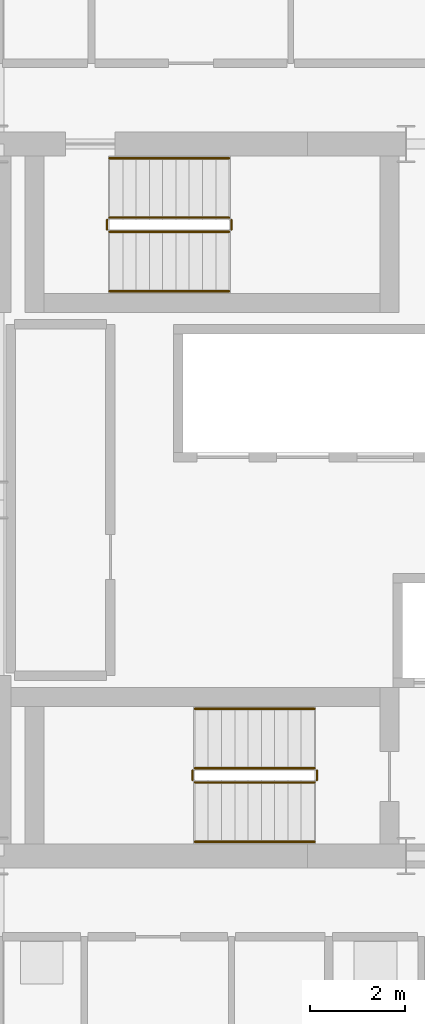
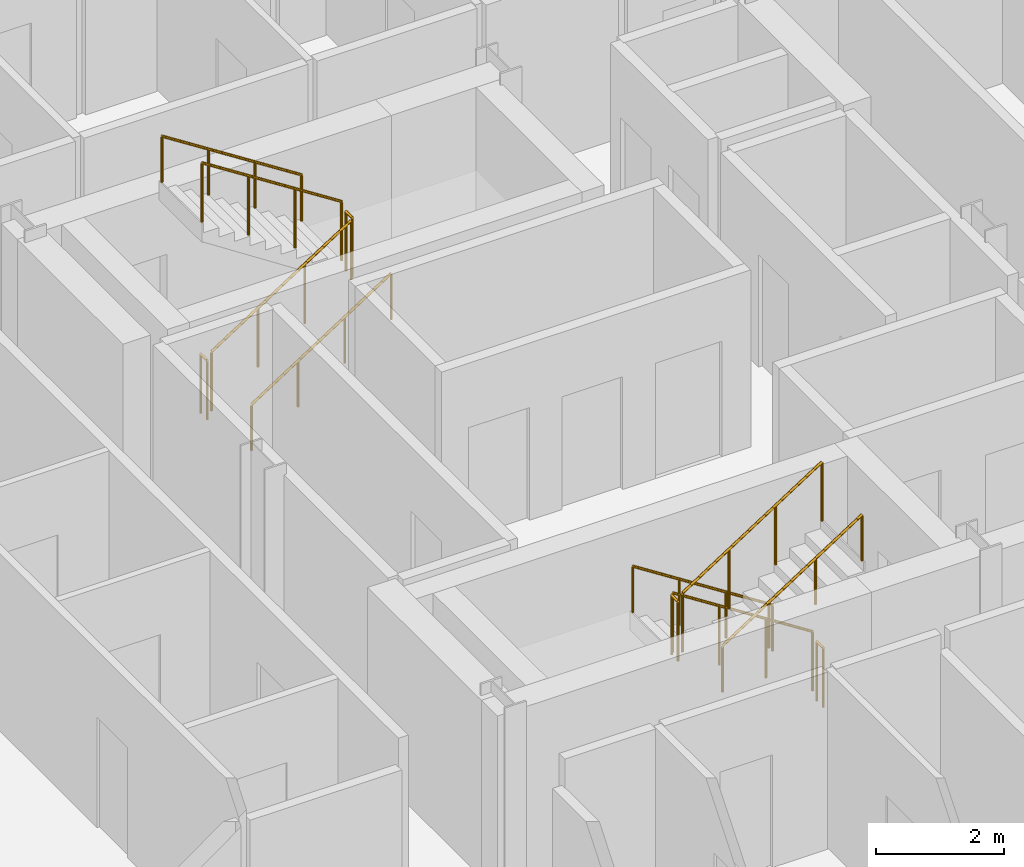
# One storey, part 23 of 24: 12 railings.
"""IFC4 building model written with IfcOpenShell, lengths in metres."""

from ifc_helpers import new_model, si_unit, direction, frame, origin, origin_2d, place, context, subcontext, project, spatial, circle, extrude, material, type_object, element, save


model = new_model("IFC4")

# Units and contexts
model_context = context("Model", 3, precision=1e-05, world=origin(), true_north=direction((0.0, 1.0)))
body_context = subcontext(model_context, "Body", "Model", "MODEL_VIEW")
ifc_project = project(units=[si_unit("LENGTHUNIT", "METRE"), si_unit("AREAUNIT", "SQUARE_METRE"), si_unit("VOLUMEUNIT", "CUBIC_METRE"), si_unit("PLANEANGLEUNIT", "RADIAN"), si_unit("MASSUNIT", "GRAM", prefix="KILO")], contexts=[model_context])

# Site, building, storey
site_placement = place(None, origin())
site = spatial("IfcSite", under=ifc_project, at=site_placement, CompositionType="ELEMENT")
building_placement = place(site_placement, origin())
building = spatial("IfcBuilding", under=site, at=building_placement, Name="Barlavira Tower and Art Museum", CompositionType="ELEMENT")
storey_placement = place(building_placement, frame((0.0, 0.0, 225.89990234375)))
storey = spatial("IfcBuildingStorey", under=building, at=storey_placement, Name="L58", CompositionType="ELEMENT", Elevation=225.89990234375)

# Railings
ifc_material = material(Name="Brushed stainless steel", Category="steel")
railing_type_1 = type_object("IfcRailingType", Name="Interior Void and Landing Guard Railing 1150", PredefinedType="GUARDRAIL", material=ifc_material)
railing_1_placement = place(storey_placement, frame((0.14990234375, -5.64990234375, 0.18017578125)))
element("IfcRailing", 1, at=railing_1_placement, inside=storey, type_object=railing_type_1, Name="L58 ST-T1 stair guard 1", PredefinedType="GUARDRAIL", context=body_context, shape_type="SweptSolid", body=[
    extrude(circle(Radius=0.02392578125, at=origin_2d()), frame((0.0, 0.0, 1.1259765625), z_axis=(-0.841199657755, 0.0, 0.540724639528), x_axis=(0.0, -1.0, 0.0)), (0.0, 0.0, 1.0), 2.995849609375),
    extrude(circle(Radius=0.02099609375, at=origin_2d()), origin(), (0.0, 0.0, 1.0), 1.101806640625),
    extrude(circle(Radius=0.02099609375, at=origin_2d()), frame((-0.840087890625, 0.0, 0.5400390625)), (0.0, 0.0, 1.0), 1.101806640625),
    extrude(circle(Radius=0.02099609375, at=origin_2d()), frame((-1.679931640625, 0.0, 1.079833984375)), (0.0, 0.0, 1.0), 1.101806640625),
    extrude(circle(Radius=0.02099609375, at=origin_2d()), frame((-2.52001953125, 0.0, 1.619873046875)), (0.0, 0.0, 1.0), 1.101806640625),
])
railing_2_placement = place(storey_placement, frame((-2.419921875, -5.699951171875, 1.800048828125)))
element("IfcRailing", 2, at=railing_2_placement, inside=storey, type_object=railing_type_1, Name="L58 ST-T1 stair guard 2", PredefinedType="GUARDRAIL", context=body_context, shape_type="SweptSolid", body=[
    extrude(circle(Radius=0.02392578125, at=origin_2d()), frame((0.0, 0.0, 1.1259765625), z_axis=(0.0, -1.0, 0.0), x_axis=(1.0, 0.0, 0.0)), (0.0, 0.0, 1.0), 0.199951171875),
    extrude(circle(Radius=0.02099609375, at=origin_2d()), origin(), (0.0, 0.0, 1.0), 1.101806640625),
    extrude(circle(Radius=0.02099609375, at=origin_2d()), frame((0.0, -0.199951171875, 0.0)), (0.0, 0.0, 1.0), 1.101806640625),
])
railing_3_placement = place(storey_placement, frame((-2.3701171875, -5.949951171875, 1.97998046875)))
element("IfcRailing", 3, at=railing_3_placement, inside=storey, type_object=railing_type_1, Name="L58 ST-T1 stair guard 3", PredefinedType="GUARDRAIL", context=body_context, shape_type="SweptSolid", body=[
    extrude(circle(Radius=0.02392578125, at=origin_2d()), frame((0.0, 0.0, 1.1259765625), z_axis=(0.841162588446, 0.0, 0.540782303519), x_axis=(0.0, 1.0, 0.0)), (0.0, 0.0, 1.0), 2.995849609375),
    extrude(circle(Radius=0.02099609375, at=origin_2d()), origin(), (0.0, 0.0, 1.0), 1.101806640625),
    extrude(circle(Radius=0.02099609375, at=origin_2d()), frame((0.840087890625, 0.0, 0.5400390625)), (0.0, 0.0, 1.0), 1.101806640625),
    extrude(circle(Radius=0.02099609375, at=origin_2d()), frame((1.679931640625, 0.0, 1.080078125)), (0.0, 0.0, 1.0), 1.101806640625),
    extrude(circle(Radius=0.02099609375, at=origin_2d()), frame((2.52001953125, 0.0, 1.6201171875)), (0.0, 0.0, 1.0), 1.101806640625),
])
railing_4_placement = place(storey_placement, frame((0.199951171875, -5.699951171875, 0.0)))
element("IfcRailing", 4, at=railing_4_placement, inside=storey, type_object=railing_type_1, Name="L58 ST-T1 stair guard 4", PredefinedType="GUARDRAIL", context=body_context, shape_type="SweptSolid", body=[
    extrude(circle(Radius=0.02392578125, at=origin_2d()), frame((0.0, 0.0, 1.1259765625), z_axis=(0.0, -1.0, 0.0), x_axis=(1.0, 0.0, 0.0)), (0.0, 0.0, 1.0), 0.199951171875),
    extrude(circle(Radius=0.02099609375, at=origin_2d()), origin(), (0.0, 0.0, 1.0), 1.101806640625),
    extrude(circle(Radius=0.02099609375, at=origin_2d()), frame((0.0, -0.199951171875, 0.0)), (0.0, 0.0, 1.0), 1.101806640625),
])
railing_5_placement = place(storey_placement, frame((-4.169921875, 5.64990234375, 0.18017578125)))
element("IfcRailing", 5, at=railing_5_placement, inside=storey, type_object=railing_type_1, Name="L58 ST-T2 stair guard 1", PredefinedType="GUARDRAIL", context=body_context, shape_type="SweptSolid", body=[
    extrude(circle(Radius=0.02392578125, at=origin_2d()), frame((0.0, 0.0, 1.1259765625), z_axis=(0.841199657755, 0.0, 0.540724639528), x_axis=(0.0, 1.0, 0.0)), (0.0, 0.0, 1.0), 2.995849609375),
    extrude(circle(Radius=0.02099609375, at=origin_2d()), origin(), (0.0, 0.0, 1.0), 1.101806640625),
    extrude(circle(Radius=0.02099609375, at=origin_2d()), frame((0.840087890625, 0.0, 0.5400390625)), (0.0, 0.0, 1.0), 1.101806640625),
    extrude(circle(Radius=0.02099609375, at=origin_2d()), frame((1.679931640625, 0.0, 1.079833984375)), (0.0, 0.0, 1.0), 1.101806640625),
    extrude(circle(Radius=0.02099609375, at=origin_2d()), frame((2.52001953125, 0.0, 1.619873046875)), (0.0, 0.0, 1.0), 1.101806640625),
])
railing_6_placement = place(storey_placement, frame((-1.60009765625, 5.699951171875, 1.800048828125)))
element("IfcRailing", 6, at=railing_6_placement, inside=storey, type_object=railing_type_1, Name="L58 ST-T2 stair guard 2", PredefinedType="GUARDRAIL", context=body_context, shape_type="SweptSolid", body=[
    extrude(circle(Radius=0.02392578125, at=origin_2d()), frame((0.0, 0.0, 1.1259765625), z_axis=(0.0, 1.0, 0.0), x_axis=(-1.0, 0.0, 0.0)), (0.0, 0.0, 1.0), 0.199951171875),
    extrude(circle(Radius=0.02099609375, at=origin_2d()), origin(), (0.0, 0.0, 1.0), 1.101806640625),
    extrude(circle(Radius=0.02099609375, at=origin_2d()), frame((0.0, 0.199951171875, 0.0)), (0.0, 0.0, 1.0), 1.101806640625),
])
railing_7_placement = place(storey_placement, frame((-1.64990234375, 5.949951171875, 1.97998046875)))
element("IfcRailing", 7, at=railing_7_placement, inside=storey, type_object=railing_type_1, Name="L58 ST-T2 stair guard 3", PredefinedType="GUARDRAIL", context=body_context, shape_type="SweptSolid", body=[
    extrude(circle(Radius=0.02392578125, at=origin_2d()), frame((0.0, 0.0, 1.1259765625), z_axis=(-0.841162588446, 0.0, 0.540782303519), x_axis=(0.0, -1.0, 0.0)), (0.0, 0.0, 1.0), 2.995849609375),
    extrude(circle(Radius=0.02099609375, at=origin_2d()), origin(), (0.0, 0.0, 1.0), 1.101806640625),
    extrude(circle(Radius=0.02099609375, at=origin_2d()), frame((-0.840087890625, 0.0, 0.5400390625)), (0.0, 0.0, 1.0), 1.101806640625),
    extrude(circle(Radius=0.02099609375, at=origin_2d()), frame((-1.679931640625, 0.0, 1.080078125)), (0.0, 0.0, 1.0), 1.101806640625),
    extrude(circle(Radius=0.02099609375, at=origin_2d()), frame((-2.52001953125, 0.0, 1.6201171875)), (0.0, 0.0, 1.0), 1.101806640625),
])
railing_8_placement = place(storey_placement, frame((-4.219970703125, 5.699951171875, 0.0)))
element("IfcRailing", 8, at=railing_8_placement, inside=storey, type_object=railing_type_1, Name="L58 ST-T2 stair guard 4", PredefinedType="GUARDRAIL", context=body_context, shape_type="SweptSolid", body=[
    extrude(circle(Radius=0.02392578125, at=origin_2d()), frame((0.0, 0.0, 1.1259765625), z_axis=(0.0, 1.0, 0.0), x_axis=(-1.0, 0.0, 0.0)), (0.0, 0.0, 1.0), 0.199951171875),
    extrude(circle(Radius=0.02099609375, at=origin_2d()), origin(), (0.0, 0.0, 1.0), 1.101806640625),
    extrude(circle(Radius=0.02099609375, at=origin_2d()), frame((0.0, 0.199951171875, 0.0)), (0.0, 0.0, 1.0), 1.101806640625),
])
railing_type_2 = type_object("IfcRailingType", Name="Stair Pitch Tubular Steel Handrail 920", PredefinedType="HANDRAIL", material=ifc_material)
railing_9_placement = place(storey_placement, frame((0.14990234375, -4.39990234375, 0.18017578125)))
element("IfcRailing", 9, at=railing_9_placement, inside=storey, type_object=railing_type_2, Name="L58 ST-T1 stair handrail 1", PredefinedType="HANDRAIL", context=body_context, shape_type="SweptSolid", body=[
    extrude(circle(Radius=0.02392578125, at=origin_2d()), frame((0.0, 0.0, 0.8759765625), z_axis=(-0.841199657755, 0.0, 0.540724639528), x_axis=(0.0, -1.0, 0.0)), (0.0, 0.0, 1.0), 2.995849609375),
    extrude(circle(Radius=0.02099609375, at=origin_2d()), origin(), (0.0, 0.0, 1.0), 0.851806640625),
    extrude(circle(Radius=0.02099609375, at=origin_2d()), frame((-0.840087890625, 0.0, 0.5400390625)), (0.0, 0.0, 1.0), 0.851806640625),
    extrude(circle(Radius=0.02099609375, at=origin_2d()), frame((-1.679931640625, 0.0, 1.079833984375)), (0.0, 0.0, 1.0), 0.851806640625),
    extrude(circle(Radius=0.02099609375, at=origin_2d()), frame((-2.52001953125, 0.0, 1.619873046875)), (0.0, 0.0, 1.0), 0.851806640625),
])
railing_10_placement = place(storey_placement, frame((-2.3701171875, -7.199951171875, 1.97998046875)))
element("IfcRailing", 10, at=railing_10_placement, inside=storey, type_object=railing_type_2, Name="L58 ST-T1 stair handrail 2", PredefinedType="HANDRAIL", context=body_context, shape_type="SweptSolid", body=[
    extrude(circle(Radius=0.02392578125, at=origin_2d()), frame((0.0, 0.0, 0.8759765625), z_axis=(0.841162588446, 0.0, 0.540782303519), x_axis=(0.0, 1.0, 0.0)), (0.0, 0.0, 1.0), 2.995849609375),
    extrude(circle(Radius=0.02099609375, at=origin_2d()), origin(), (0.0, 0.0, 1.0), 0.851806640625),
    extrude(circle(Radius=0.02099609375, at=origin_2d()), frame((0.840087890625, 0.0, 0.5400390625)), (0.0, 0.0, 1.0), 0.851806640625),
    extrude(circle(Radius=0.02099609375, at=origin_2d()), frame((1.679931640625, 0.0, 1.080078125)), (0.0, 0.0, 1.0), 0.851806640625),
    extrude(circle(Radius=0.02099609375, at=origin_2d()), frame((2.52001953125, 0.0, 1.6201171875)), (0.0, 0.0, 1.0), 0.851806640625),
])
railing_11_placement = place(storey_placement, frame((-4.169921875, 4.39990234375, 0.18017578125)))
element("IfcRailing", 11, at=railing_11_placement, inside=storey, type_object=railing_type_2, Name="L58 ST-T2 stair handrail 1", PredefinedType="HANDRAIL", context=body_context, shape_type="SweptSolid", body=[
    extrude(circle(Radius=0.02392578125, at=origin_2d()), frame((0.0, 0.0, 0.8759765625), z_axis=(0.841199657755, 0.0, 0.540724639528), x_axis=(0.0, 1.0, 0.0)), (0.0, 0.0, 1.0), 2.995849609375),
    extrude(circle(Radius=0.02099609375, at=origin_2d()), origin(), (0.0, 0.0, 1.0), 0.851806640625),
    extrude(circle(Radius=0.02099609375, at=origin_2d()), frame((0.840087890625, 0.0, 0.5400390625)), (0.0, 0.0, 1.0), 0.851806640625),
    extrude(circle(Radius=0.02099609375, at=origin_2d()), frame((1.679931640625, 0.0, 1.079833984375)), (0.0, 0.0, 1.0), 0.851806640625),
    extrude(circle(Radius=0.02099609375, at=origin_2d()), frame((2.52001953125, 0.0, 1.619873046875)), (0.0, 0.0, 1.0), 0.851806640625),
])
railing_12_placement = place(storey_placement, frame((-1.64990234375, 7.199951171875, 1.97998046875)))
element("IfcRailing", 12, at=railing_12_placement, inside=storey, type_object=railing_type_2, Name="L58 ST-T2 stair handrail 2", PredefinedType="HANDRAIL", context=body_context, shape_type="SweptSolid", body=[
    extrude(circle(Radius=0.02392578125, at=origin_2d()), frame((0.0, 0.0, 0.8759765625), z_axis=(-0.841162588446, 0.0, 0.540782303519), x_axis=(0.0, -1.0, 0.0)), (0.0, 0.0, 1.0), 2.995849609375),
    extrude(circle(Radius=0.02099609375, at=origin_2d()), origin(), (0.0, 0.0, 1.0), 0.851806640625),
    extrude(circle(Radius=0.02099609375, at=origin_2d()), frame((-0.840087890625, 0.0, 0.5400390625)), (0.0, 0.0, 1.0), 0.851806640625),
    extrude(circle(Radius=0.02099609375, at=origin_2d()), frame((-1.679931640625, 0.0, 1.080078125)), (0.0, 0.0, 1.0), 0.851806640625),
    extrude(circle(Radius=0.02099609375, at=origin_2d()), frame((-2.52001953125, 0.0, 1.6201171875)), (0.0, 0.0, 1.0), 0.851806640625),
])

save(model, "model.ifc")
